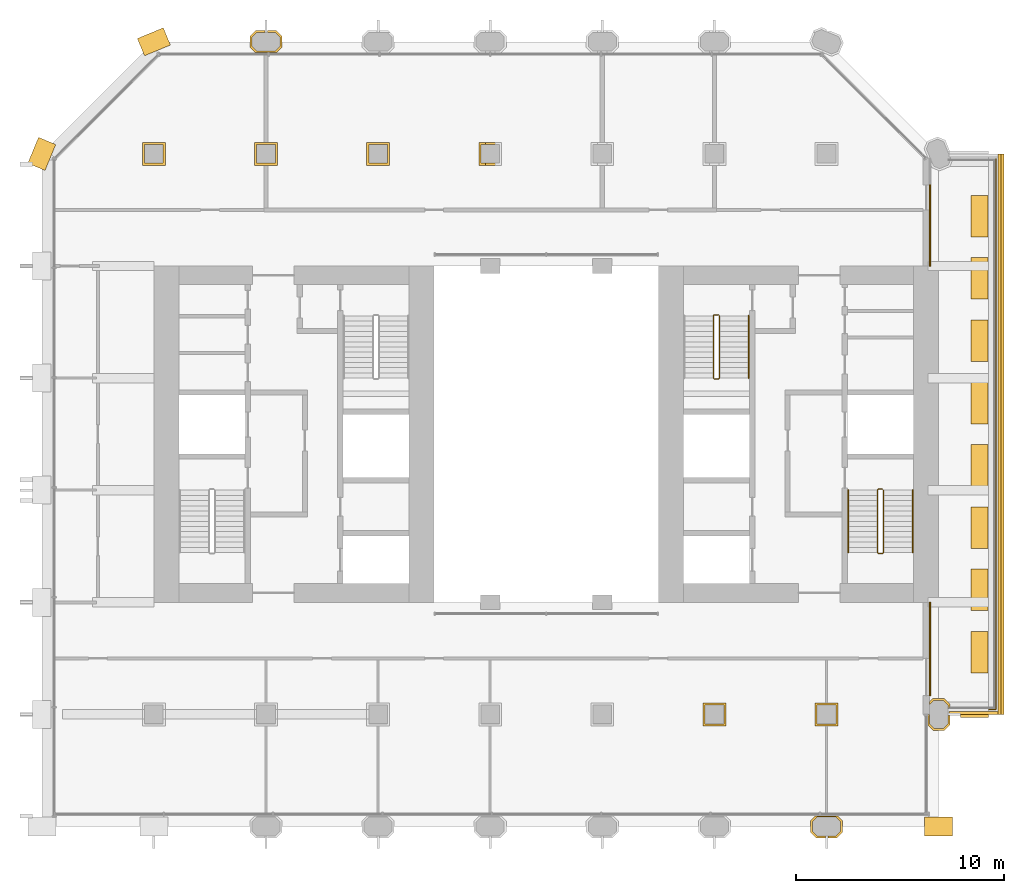
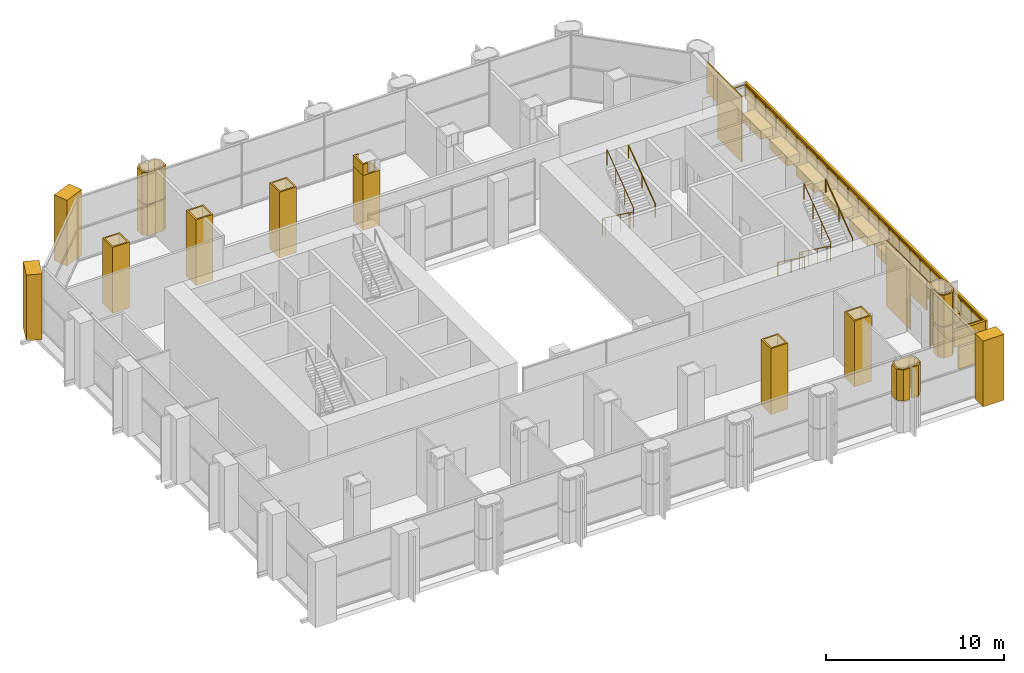
# One storey, part 14 of 15: 33 coverings, 6 railings.
"""IFC4 building model written with IfcOpenShell, lengths in metres."""

from ifc_helpers import new_model, si_unit, direction, frame, frame_2d, origin, origin_2d, place, context, subcontext, project, spatial, polyline, rectangle, circle, outline, extrude, material, layer, layer_set, type_object, element, save


model = new_model("IFC4")

# Units and contexts
model_context = context("Model", 3, precision=1e-05, world=origin(), true_north=direction((0.0, 1.0)))
body_context = subcontext(model_context, "Body", "Model", "MODEL_VIEW")
ifc_project = project(units=[si_unit("LENGTHUNIT", "METRE"), si_unit("AREAUNIT", "SQUARE_METRE"), si_unit("VOLUMEUNIT", "CUBIC_METRE"), si_unit("PLANEANGLEUNIT", "RADIAN"), si_unit("MASSUNIT", "GRAM", prefix="KILO")], contexts=[model_context])

# Site, building, storey
site_placement = place(None, origin())
site = spatial("IfcSite", under=ifc_project, at=site_placement, CompositionType="ELEMENT")
building_placement = place(site_placement, origin())
building = spatial("IfcBuilding", under=site, at=building_placement, Name="Tabaq Tower and Sports Hall", CompositionType="ELEMENT")
storey_placement = place(building_placement, frame((0.0, 0.0, 143.199951171875)))
storey = spatial("IfcBuildingStorey", under=building, at=storey_placement, Name="L33", CompositionType="ELEMENT", Elevation=143.199951171875)

# Coverings
ifc_material_1 = material(Name="Precast concrete C60/75", Category="concrete")
ifc_layer_1 = layer(ifc_material_1, 0.10009765625)
ifc_layer_set_1 = layer_set([ifc_layer_1], Name="Column cladding 100")
covering_type_1 = type_object("IfcCoveringType", Name="Column cladding 100", PredefinedType="CLADDING", material=ifc_layer_set_1)
covering_1_placement = place(storey_placement, origin())
element("IfcCovering", 1, at=covering_1_placement, inside=storey, type_object=covering_type_1, Name="Column cladding L33 CC-2H-S1", PredefinedType="CLADDING", context=body_context, shape_type="SweptSolid", body=[
    extrude(outline(polyline([(4.850341796875, 38.349609375), (5.94970703125, 38.349609375), (5.94970703125, 37.250244140625), (4.850341796875, 37.250244140625), (4.850341796875, 38.349609375)]), holes=[polyline([(5.850341796875, 37.349609375), (5.850341796875, 38.250244140625), (4.94970703125, 38.250244140625), (4.94970703125, 37.349609375), (5.850341796875, 37.349609375)])]), origin(), (0.0, 0.0, 1.0), 4.5),
])
covering_2_placement = place(storey_placement, origin())
element("IfcCovering", 2, at=covering_2_placement, inside=storey, type_object=covering_type_1, Name="Column cladding L33 CC-3H-S1", PredefinedType="CLADDING", context=body_context, shape_type="SweptSolid", body=[
    extrude(outline(polyline([(10.250244140625, 38.349609375), (11.349609375, 38.349609375), (11.349609375, 37.250244140625), (10.250244140625, 37.250244140625), (10.250244140625, 38.349609375)]), holes=[polyline([(11.250244140625, 37.349609375), (11.250244140625, 38.250244140625), (10.349609375, 38.250244140625), (10.349609375, 37.349609375), (11.250244140625, 37.349609375)])]), origin(), (0.0, 0.0, 1.0), 4.5),
])
covering_3_placement = place(storey_placement, frame((0.0, 0.0, 0.10009765625)))
element("IfcCovering", 3, at=covering_3_placement, inside=storey, type_object=covering_type_1, Name="Column cladding L33 PC-3I-S1", PredefinedType="CLADDING", context=body_context, shape_type="SweptSolid", body=[
    extrude(outline(polyline([(10.025390625, 43.46630859375), (10.30859375, 43.749755859375), (10.73974609375, 43.749755859375), (10.73974609375, 43.650390625), (10.349853515625, 43.650390625), (10.124755859375, 43.425048828125), (10.124755859375, 42.974853515625), (10.349853515625, 42.749755859375), (11.250244140625, 42.749755859375), (11.475341796875, 42.974853515625), (11.475341796875, 43.425048828125), (11.250244140625, 43.650390625), (10.8603515625, 43.650390625), (10.8603515625, 43.749755859375), (11.291259765625, 43.749755859375), (11.57470703125, 43.46630859375), (11.57470703125, 42.93359375), (11.331298828125, 42.690185546875), (10.268798828125, 42.690185546875), (10.025390625, 42.93359375), (10.025390625, 43.46630859375)])), origin(), (0.0, 0.0, 1.0), 2.119873046875),
])
covering_4_placement = place(storey_placement, frame((0.0, 0.0, 2.280029296875)))
element("IfcCovering", 4, at=covering_4_placement, inside=storey, type_object=covering_type_1, Name="Column cladding L33 PC-3I-S1 2", PredefinedType="CLADDING", context=body_context, shape_type="SweptSolid", body=[
    extrude(outline(polyline([(10.025390625, 43.46630859375), (10.30859375, 43.749755859375), (10.73974609375, 43.749755859375), (10.73974609375, 43.650390625), (10.349853515625, 43.650390625), (10.124755859375, 43.425048828125), (10.124755859375, 42.974853515625), (10.349853515625, 42.749755859375), (11.250244140625, 42.749755859375), (11.475341796875, 42.974853515625), (11.475341796875, 43.425048828125), (11.250244140625, 43.650390625), (10.8603515625, 43.650390625), (10.8603515625, 43.749755859375), (11.291259765625, 43.749755859375), (11.57470703125, 43.46630859375), (11.57470703125, 42.93359375), (11.331298828125, 42.690185546875), (10.268798828125, 42.690185546875), (10.025390625, 42.93359375), (10.025390625, 43.46630859375)])), origin(), (0.0, 0.0, 1.0), 2.1201171875),
])
covering_5_placement = place(storey_placement, origin())
element("IfcCovering", 5, at=covering_5_placement, inside=storey, type_object=covering_type_1, Name="Column cladding L33 CC-4H-S1", PredefinedType="CLADDING", context=body_context, shape_type="SweptSolid", body=[
    extrude(outline(polyline([(15.650390625, 38.349609375), (16.749755859375, 38.349609375), (16.749755859375, 37.250244140625), (15.650390625, 37.250244140625), (15.650390625, 38.349609375)]), holes=[polyline([(16.650390625, 37.349609375), (16.650390625, 38.250244140625), (15.749755859375, 38.250244140625), (15.749755859375, 37.349609375), (16.650390625, 37.349609375)])]), origin(), (0.0, 0.0, 1.0), 4.5),
])
covering_6_placement = place(storey_placement, origin())
element("IfcCovering", 6, at=covering_6_placement, inside=storey, type_object=covering_type_1, Name="Column cladding L33 CC-5H-S1", PredefinedType="CLADDING", context=body_context, shape_type="SweptSolid", body=[
    extrude(outline(polyline([(21.05029296875, 38.349609375), (22.149658203125, 38.349609375), (22.149658203125, 37.250244140625), (21.05029296875, 37.250244140625), (21.05029296875, 38.349609375)]), holes=[polyline([(22.05029296875, 37.349609375), (22.05029296875, 38.250244140625), (21.149658203125, 38.250244140625), (21.149658203125, 37.349609375), (22.05029296875, 37.349609375)])]), origin(), (0.0, 0.0, 1.0), 3.75),
])
covering_7_placement = place(storey_placement, frame((0.0, 0.0, 3.75)))
element("IfcCovering", 7, at=covering_7_placement, inside=storey, type_object=covering_type_1, Name="Column cladding L33 CC-5H-S1 head", PredefinedType="CLADDING", context=body_context, shape_type="SweptSolid", body=[
    extrude(outline(polyline([(21.374755859375, 38.349609375), (21.374755859375, 38.250244140625), (21.149658203125, 38.250244140625), (21.149658203125, 37.349609375), (21.374755859375, 37.349609375), (21.374755859375, 37.250244140625), (21.05029296875, 37.250244140625), (21.05029296875, 38.349609375), (21.374755859375, 38.349609375)])), origin(), (0.0, 0.0, 1.0), 0.75),
])
covering_8_placement = place(storey_placement, origin())
element("IfcCovering", 8, at=covering_8_placement, inside=storey, type_object=covering_type_1, Name="Column cladding L33 CC-7C-S1", PredefinedType="CLADDING", context=body_context, shape_type="SweptSolid", body=[
    extrude(outline(polyline([(31.850341796875, 11.349609375), (32.94970703125, 11.349609375), (32.94970703125, 10.250244140625), (31.850341796875, 10.250244140625), (31.850341796875, 11.349609375)]), holes=[polyline([(32.850341796875, 10.349609375), (32.850341796875, 11.250244140625), (31.94970703125, 11.250244140625), (31.94970703125, 10.349609375), (32.850341796875, 10.349609375)])]), origin(), (0.0, 0.0, 1.0), 4.5),
])
covering_9_placement = place(storey_placement, frame((0.0, 0.0, 2.280029296875)))
element("IfcCovering", 9, at=covering_9_placement, inside=storey, type_object=covering_type_1, Name="Column cladding L33 PC-8B-S1 2", PredefinedType="CLADDING", context=body_context, shape_type="SweptSolid", body=[
    extrude(outline(polyline([(37.025390625, 5.666259765625), (37.268798828125, 5.90966796875), (38.331298828125, 5.90966796875), (38.57470703125, 5.666259765625), (38.57470703125, 5.1337890625), (38.291259765625, 4.850341796875), (37.8603515625, 4.850341796875), (37.8603515625, 4.94970703125), (38.250244140625, 4.94970703125), (38.475341796875, 5.1748046875), (38.475341796875, 5.625244140625), (38.250244140625, 5.850341796875), (37.349853515625, 5.850341796875), (37.124755859375, 5.625244140625), (37.124755859375, 5.1748046875), (37.349853515625, 4.94970703125), (37.73974609375, 4.94970703125), (37.73974609375, 4.850341796875), (37.30859375, 4.850341796875), (37.025390625, 5.1337890625), (37.025390625, 5.666259765625)])), origin(), (0.0, 0.0, 1.0), 2.1201171875),
])
covering_10_placement = place(storey_placement, origin())
element("IfcCovering", 10, at=covering_10_placement, inside=storey, type_object=covering_type_1, Name="Column cladding L33 CC-8C-S1", PredefinedType="CLADDING", context=body_context, shape_type="SweptSolid", body=[
    extrude(outline(polyline([(37.250244140625, 11.349609375), (38.349609375, 11.349609375), (38.349609375, 10.250244140625), (37.250244140625, 10.250244140625), (37.250244140625, 11.349609375)]), holes=[polyline([(38.250244140625, 10.349609375), (38.250244140625, 11.250244140625), (37.349609375, 11.250244140625), (37.349609375, 10.349609375), (38.250244140625, 10.349609375)])]), origin(), (0.0, 0.0, 1.0), 4.5),
])
covering_11_placement = place(storey_placement, frame((0.0, 0.0, 0.10009765625)))
element("IfcCovering", 11, at=covering_11_placement, inside=storey, type_object=covering_type_1, Name="Column cladding L33 PC-9C-S1", PredefinedType="CLADDING", context=body_context, shape_type="SweptSolid", body=[
    extrude(outline(polyline([(42.93359375, 10.025390625), (42.690185546875, 10.268798828125), (42.690185546875, 10.7998046875), (42.749755859375, 10.7998046875), (42.749755859375, 10.349853515625), (42.974853515625, 10.124755859375), (43.425048828125, 10.124755859375), (43.650390625, 10.349853515625), (43.650390625, 10.73974609375), (43.749755859375, 10.73974609375), (43.749755859375, 10.30859375), (43.46630859375, 10.025390625), (42.93359375, 10.025390625)])), origin(), (0.0, 0.0, 1.0), 2.119873046875),
])
covering_12_placement = place(storey_placement, frame((0.0, 0.0, 0.10009765625)))
element("IfcCovering", 12, at=covering_12_placement, inside=storey, type_object=covering_type_1, Name="Column cladding L33 PC-9C-S1 2", PredefinedType="CLADDING", context=body_context, shape_type="SweptSolid", body=[
    extrude(outline(polyline([(42.93359375, 11.57470703125), (43.46630859375, 11.57470703125), (43.749755859375, 11.291259765625), (43.749755859375, 11.1103515625), (43.69970703125, 11.1103515625), (43.69970703125, 11.09033203125), (43.650390625, 11.09033203125), (43.650390625, 11.250244140625), (43.425048828125, 11.475341796875), (42.974853515625, 11.475341796875), (42.750244140625, 11.250732421875), (42.750244140625, 11.391357421875), (42.93359375, 11.57470703125)])), origin(), (0.0, 0.0, 1.0), 2.119873046875),
])
covering_13_placement = place(storey_placement, frame((0.0, 0.0, 2.280029296875)))
element("IfcCovering", 13, at=covering_13_placement, inside=storey, type_object=covering_type_1, Name="Column cladding L33 PC-9C-S1 2", PredefinedType="CLADDING", context=body_context, shape_type="SweptSolid", body=[
    extrude(outline(polyline([(42.93359375, 10.025390625), (42.690185546875, 10.268798828125), (42.690185546875, 10.7998046875), (42.749755859375, 10.7998046875), (42.749755859375, 10.349853515625), (42.974853515625, 10.124755859375), (43.425048828125, 10.124755859375), (43.650390625, 10.349853515625), (43.650390625, 10.73974609375), (43.749755859375, 10.73974609375), (43.749755859375, 10.30859375), (43.46630859375, 10.025390625), (42.93359375, 10.025390625)])), origin(), (0.0, 0.0, 1.0), 2.1201171875),
])
covering_14_placement = place(storey_placement, frame((0.0, 0.0, 2.280029296875)))
element("IfcCovering", 14, at=covering_14_placement, inside=storey, type_object=covering_type_1, Name="Column cladding L33 PC-9C-S1 2 2", PredefinedType="CLADDING", context=body_context, shape_type="SweptSolid", body=[
    extrude(outline(polyline([(42.93359375, 11.57470703125), (43.46630859375, 11.57470703125), (43.749755859375, 11.291259765625), (43.749755859375, 11.1103515625), (43.69970703125, 11.1103515625), (43.69970703125, 11.09033203125), (43.650390625, 11.09033203125), (43.650390625, 11.250244140625), (43.425048828125, 11.475341796875), (42.974853515625, 11.475341796875), (42.750244140625, 11.250732421875), (42.750244140625, 11.391357421875), (42.93359375, 11.57470703125)])), origin(), (0.0, 0.0, 1.0), 2.1201171875),
])

# Railing
ifc_material_2 = material(Name="Stainless steel S316 and laminated glass", Category="steel")
railing_type_1 = type_object("IfcRailingType", Name="Guard 1100 steel and glass", PredefinedType="GUARDRAIL", material=ifc_material_2)
railing_1_placement = place(storey_placement, frame((43.199951171875, 11.050048828125, 0.0)))
element("IfcRailing", 15, at=railing_1_placement, inside=storey, type_object=railing_type_1, Name="Tray guard L33", PredefinedType="GUARDRAIL", context=body_context, shape_type="SweptSolid", body=[
    extrude(circle(Radius=0.02490234375, at=origin_2d()), frame((0.0, 0.0, 1.0751953125), z_axis=(1.0, 0.0, 0.0), x_axis=(0.0, 1.0, 0.0)), (0.0, 0.0, 1.0), 2.75),
    extrude(circle(Radius=0.02490234375, at=origin_2d()), frame((2.75, 0.0, 1.0751953125), z_axis=(0.0, 1.0, 0.0), x_axis=(-1.0, 0.0, 0.0)), (0.0, 0.0, 1.0), 26.5),
    extrude(circle(Radius=0.02490234375, at=origin_2d()), frame((2.75, 26.5, 1.0751953125), z_axis=(-1.0, 0.0, 0.0), x_axis=(0.0, -1.0, 0.0)), (0.0, 0.0, 1.0), 2.75),
    extrude(circle(Radius=0.02001953125, at=origin_2d()), origin(), (0.0, 0.0, 1.0), 1.050048828125),
    extrude(circle(Radius=0.02001953125, at=origin_2d()), frame((0.916748046875, 0.0, 0.0)), (0.0, 0.0, 1.0), 1.050048828125),
    extrude(circle(Radius=0.02001953125, at=origin_2d()), frame((1.833251953125, 0.0, 0.0)), (0.0, 0.0, 1.0), 1.050048828125),
    extrude(circle(Radius=0.02001953125, at=origin_2d()), frame((2.75, 0.0, 0.0)), (0.0, 0.0, 1.0), 1.050048828125),
    extrude(circle(Radius=0.02001953125, at=origin_2d()), frame((2.75, 1.152099609375, 0.0)), (0.0, 0.0, 1.0), 1.050048828125),
    extrude(circle(Radius=0.02001953125, at=origin_2d()), frame((2.75, 2.304443359375, 0.0)), (0.0, 0.0, 1.0), 1.050048828125),
    extrude(circle(Radius=0.02001953125, at=origin_2d()), frame((2.75, 3.45654296875, 0.0)), (0.0, 0.0, 1.0), 1.050048828125),
    extrude(circle(Radius=0.02001953125, at=origin_2d()), frame((2.75, 4.608642578125, 0.0)), (0.0, 0.0, 1.0), 1.050048828125),
    extrude(circle(Radius=0.02001953125, at=origin_2d()), frame((2.75, 5.760986328125, 0.0)), (0.0, 0.0, 1.0), 1.050048828125),
    extrude(circle(Radius=0.02001953125, at=origin_2d()), frame((2.75, 6.9130859375, 0.0)), (0.0, 0.0, 1.0), 1.050048828125),
    extrude(circle(Radius=0.02001953125, at=origin_2d()), frame((2.75, 8.065185546875, 0.0)), (0.0, 0.0, 1.0), 1.050048828125),
    extrude(circle(Radius=0.02001953125, at=origin_2d()), frame((2.75, 9.21728515625, 0.0)), (0.0, 0.0, 1.0), 1.050048828125),
    extrude(circle(Radius=0.02001953125, at=origin_2d()), frame((2.75, 10.36962890625, 0.0)), (0.0, 0.0, 1.0), 1.050048828125),
    extrude(circle(Radius=0.02001953125, at=origin_2d()), frame((2.75, 11.521728515625, 0.0)), (0.0, 0.0, 1.0), 1.050048828125),
    extrude(circle(Radius=0.02001953125, at=origin_2d()), frame((2.75, 12.673828125, 0.0)), (0.0, 0.0, 1.0), 1.050048828125),
    extrude(circle(Radius=0.02001953125, at=origin_2d()), frame((2.75, 13.826171875, 0.0)), (0.0, 0.0, 1.0), 1.050048828125),
    extrude(circle(Radius=0.02001953125, at=origin_2d()), frame((2.75, 14.978271484375, 0.0)), (0.0, 0.0, 1.0), 1.050048828125),
    extrude(circle(Radius=0.02001953125, at=origin_2d()), frame((2.75, 16.13037109375, 0.0)), (0.0, 0.0, 1.0), 1.050048828125),
    extrude(circle(Radius=0.02001953125, at=origin_2d()), frame((2.75, 17.28271484375, 0.0)), (0.0, 0.0, 1.0), 1.050048828125),
    extrude(circle(Radius=0.02001953125, at=origin_2d()), frame((2.75, 18.434814453125, 0.0)), (0.0, 0.0, 1.0), 1.050048828125),
    extrude(circle(Radius=0.02001953125, at=origin_2d()), frame((2.75, 19.5869140625, 0.0)), (0.0, 0.0, 1.0), 1.050048828125),
    extrude(circle(Radius=0.02001953125, at=origin_2d()), frame((2.75, 20.739013671875, 0.0)), (0.0, 0.0, 1.0), 1.050048828125),
    extrude(circle(Radius=0.02001953125, at=origin_2d()), frame((2.75, 21.891357421875, 0.0)), (0.0, 0.0, 1.0), 1.050048828125),
    extrude(circle(Radius=0.02001953125, at=origin_2d()), frame((2.75, 23.04345703125, 0.0)), (0.0, 0.0, 1.0), 1.050048828125),
    extrude(circle(Radius=0.02001953125, at=origin_2d()), frame((2.75, 24.195556640625, 0.0)), (0.0, 0.0, 1.0), 1.050048828125),
    extrude(circle(Radius=0.02001953125, at=origin_2d()), frame((2.75, 25.347900390625, 0.0)), (0.0, 0.0, 1.0), 1.050048828125),
    extrude(circle(Radius=0.02001953125, at=origin_2d()), frame((2.75, 26.5, 0.0)), (0.0, 0.0, 1.0), 1.050048828125),
    extrude(circle(Radius=0.02001953125, at=origin_2d()), frame((1.833251953125, 26.5, 0.0)), (0.0, 0.0, 1.0), 1.050048828125),
    extrude(circle(Radius=0.02001953125, at=origin_2d()), frame((0.916748046875, 26.5, 0.0)), (0.0, 0.0, 1.0), 1.050048828125),
    extrude(circle(Radius=0.02001953125, at=origin_2d()), frame((0.0, 26.5, 0.0)), (0.0, 0.0, 1.0), 1.050048828125),
])

# Coverings
ifc_material_3 = material(Name="White precast concrete C60/75", Category="concrete")
covering_type_2 = type_object("IfcCoveringType", Name="Pier cladding hung 1350x900", PredefinedType="CLADDING", material=ifc_material_3)
for number, where, z_axis, x_axis, name in (
    (16, (0.25830078125, 38.423583984375, 0.0), (0.0, 0.0, 1.0), (-0.382649923473, -0.923893411637, 0.0), "Hung pier cladding 0/7"),
    (17, (6.023681640625, 43.458251953125, 0.0), (0.0, 0.0, 1.0), (-0.923893411637, -0.382649923473, 0.0), "Hung pier cladding 1/8"),
    (18, (42.52490234375, 5.39990234375, 0.0), (0.0, 0.0, 1.0), (1.0, 0.0, 0.0), "Hung pier cladding 8/1"),
):
    element("IfcCovering", number, at=place(storey_placement, frame(where, z_axis=z_axis, x_axis=x_axis)), inside=storey, type_object=covering_type_2, Name=name, PredefinedType="CLADDING", context=body_context, shape_type="SweptSolid", body=[
        extrude(rectangle(XDim=1.35009765625, YDim=0.89990234375, at=frame_2d((0.675048828125, 0.0))), origin(), (0.0, 0.0, 1.0), 4.5),
    ])
ifc_material_4 = material(Name="Planting soil and drainage layer")
covering_type_3 = type_object("IfcCoveringType", Name="Planter 2000x800x600", PredefinedType="USERDEFINED", material=ifc_material_4)
for number, where, z_axis, x_axis, name in (
    (19, (45.169921875, 13.800048828125, 0.0), (0.0, 0.0, 1.0), (0.0, 1.0, 0.0), "Planter L33"),
    (20, (45.169921875, 16.800048828125, 0.0), (0.0, 0.0, 1.0), (0.0, 1.0, 0.0), "Planter L33"),
    (21, (45.169921875, 19.800048828125, 0.0), (0.0, 0.0, 1.0), (0.0, 1.0, 0.0), "Planter L33"),
    (22, (45.169921875, 22.800048828125, 0.0), (0.0, 0.0, 1.0), (0.0, 1.0, 0.0), "Planter L33"),
    (23, (45.169921875, 25.800048828125, 0.0), (0.0, 0.0, 1.0), (0.0, 1.0, 0.0), "Planter L33"),
    (24, (45.169921875, 28.800048828125, 0.0), (0.0, 0.0, 1.0), (0.0, 1.0, 0.0), "Planter L33"),
    (25, (45.169921875, 31.800048828125, 0.0), (0.0, 0.0, 1.0), (0.0, 1.0, 0.0), "Planter L33"),
    (26, (45.169921875, 34.800048828125, 0.0), (0.0, 0.0, 1.0), (0.0, 1.0, 0.0), "Planter L33"),
):
    element("IfcCovering", number, at=place(storey_placement, frame(where, z_axis=z_axis, x_axis=x_axis)), inside=storey, type_object=covering_type_3, Name=name, ObjectType="PLANTER", PredefinedType="USERDEFINED", context=body_context, shape_type="SweptSolid", body=[
        extrude(rectangle(XDim=2.0, YDim=0.800048828125, at=origin_2d()), origin(), (0.0, 0.0, 1.0), 0.60009765625),
    ])

# Railings
ifc_material_5 = material(Name="Stainless steel", Category="steel")
railing_type_2 = type_object("IfcRailingType", Name="Stair guard", PredefinedType="GUARDRAIL", material=ifc_material_5)
railing_2_placement = place(storey_placement, frame((40.5, 21.64990234375, 0.0)))
element("IfcRailing", 27, at=railing_2_placement, inside=storey, type_object=railing_type_2, Name="L33 ST3 stair guard 1", PredefinedType="GUARDRAIL", context=body_context, shape_type="SweptSolid", body=[
    extrude(circle(Radius=0.02392578125, at=origin_2d()), frame((0.0, 0.0, 1.076171875), z_axis=(-1.0, 0.0, 0.0), x_axis=(0.0, -1.0, 0.0)), (0.0, 0.0, 1.0), 0.199951171875),
    extrude(circle(Radius=0.02392578125, at=origin_2d()), frame((-0.199951171875, 0.0, 1.076171875), z_axis=(-0.253264628505, -0.252029191293, 0.933990532438), x_axis=(0.705375805398, -0.708833529934, 0.0)), (0.0, 0.0, 1.0), 0.197509765625),
    extrude(circle(Radius=0.02392578125, at=origin_2d()), frame((-0.25, -0.0498046875, 1.2607421875), z_axis=(0.0, -0.804408721428, 0.594076265214), x_axis=(1.0, 0.0, 0.0)), (0.0, 0.0, 1.0), 3.7294921875),
    extrude(circle(Radius=0.02392578125, at=origin_2d()), frame((-0.25, -3.0498046875, 3.47607421875), z_axis=(0.707106781187, -0.707106781187, 0.0), x_axis=(0.707106781187, 0.707106781187, 0.0)), (0.0, 0.0, 1.0), 0.07080078125),
    extrude(circle(Radius=0.02392578125, at=origin_2d()), frame((-0.199951171875, -3.099853515625, 3.47607421875), z_axis=(1.0, 0.0, 0.0), x_axis=(0.0, 1.0, 0.0)), (0.0, 0.0, 1.0), 0.199951171875),
    extrude(circle(Radius=0.02392578125, at=origin_2d()), frame((0.0, -3.099853515625, 3.47607421875), z_axis=(0.253185614162, 0.253185614162, 0.933699142959), x_axis=(-0.707106781187, 0.707106781187, 0.0)), (0.0, 0.0, 1.0), 0.19775390625),
    extrude(circle(Radius=0.02392578125, at=origin_2d()), frame((0.050048828125, -3.0498046875, 3.66064453125), z_axis=(0.0, 0.804440004972, 0.594033903411), x_axis=(-1.0, 0.0, 0.0)), (0.0, 0.0, 1.0), 3.729248046875),
    extrude(circle(Radius=0.02099609375, at=origin_2d()), origin(), (0.0, 0.0, 1.0), 1.052001953125),
    extrude(circle(Radius=0.02099609375, at=origin_2d()), frame((-0.199951171875, 0.0, 0.0)), (0.0, 0.0, 1.0), 1.052001953125),
    extrude(circle(Radius=0.02099609375, at=origin_2d()), frame((-0.25, -0.0498046875, 0.1845703125)), (0.0, 0.0, 1.0), 1.052001953125),
    extrude(circle(Radius=0.02099609375, at=origin_2d()), frame((-0.25, -1.0498046875, 0.923095703125)), (0.0, 0.0, 1.0), 1.052001953125),
    extrude(circle(Radius=0.02099609375, at=origin_2d()), frame((-0.25, -2.0498046875, 1.66162109375)), (0.0, 0.0, 1.0), 1.052001953125),
    extrude(circle(Radius=0.02099609375, at=origin_2d()), frame((-0.25, -3.0498046875, 2.400146484375)), (0.0, 0.0, 1.0), 1.052001953125),
    extrude(circle(Radius=0.02099609375, at=origin_2d()), frame((-0.199951171875, -3.099853515625, 2.400146484375)), (0.0, 0.0, 1.0), 1.052001953125),
    extrude(circle(Radius=0.02099609375, at=origin_2d()), frame((0.0, -3.099853515625, 2.400146484375)), (0.0, 0.0, 1.0), 1.052001953125),
    extrude(circle(Radius=0.02099609375, at=origin_2d()), frame((0.050048828125, -3.0498046875, 2.584716796875)), (0.0, 0.0, 1.0), 1.052001953125),
    extrude(circle(Radius=0.02099609375, at=origin_2d()), frame((0.050048828125, -2.0498046875, 3.3232421875)), (0.0, 0.0, 1.0), 1.052001953125),
    extrude(circle(Radius=0.02099609375, at=origin_2d()), frame((0.050048828125, -1.0498046875, 4.0615234375)), (0.0, 0.0, 1.0), 1.052001953125),
    extrude(circle(Radius=0.02099609375, at=origin_2d()), frame((0.050048828125, -0.0498046875, 4.800048828125)), (0.0, 0.0, 1.0), 1.052001953125),
])
railing_3_placement = place(storey_placement, frame((32.60009765625, 30.050048828125, 0.0)))
element("IfcRailing", 28, at=railing_3_placement, inside=storey, type_object=railing_type_2, Name="L33 ST4 stair guard 1", PredefinedType="GUARDRAIL", context=body_context, shape_type="SweptSolid", body=[
    extrude(circle(Radius=0.02392578125, at=origin_2d()), frame((0.0, 0.0, 1.076171875), z_axis=(-1.0, 0.0, 0.0), x_axis=(0.0, -1.0, 0.0)), (0.0, 0.0, 1.0), 0.2001953125),
    extrude(circle(Radius=0.02392578125, at=origin_2d()), frame((-0.2001953125, 0.0, 1.076171875), z_axis=(-0.252029191293, -0.253264628505, 0.933990532438), x_axis=(0.708833529934, -0.705375805398, 0.0)), (0.0, 0.0, 1.0), 0.197509765625),
    extrude(circle(Radius=0.02392578125, at=origin_2d()), frame((-0.25, -0.050048828125, 1.2607421875), z_axis=(0.0, -0.804408721428, 0.594076265214), x_axis=(1.0, 0.0, 0.0)), (0.0, 0.0, 1.0), 3.7294921875),
    extrude(circle(Radius=0.02392578125, at=origin_2d()), frame((-0.25, -3.050048828125, 3.47607421875), z_axis=(0.705375805398, -0.708833529934, 0.0), x_axis=(0.708833529934, 0.705375805398, 0.0)), (0.0, 0.0, 1.0), 0.070556640625),
    extrude(circle(Radius=0.02392578125, at=origin_2d()), frame((-0.2001953125, -3.10009765625, 3.47607421875), z_axis=(1.0, 0.0, 0.0), x_axis=(0.0, 1.0, 0.0)), (0.0, 0.0, 1.0), 0.2001953125),
    extrude(circle(Radius=0.02392578125, at=origin_2d()), frame((0.0, -3.10009765625, 3.47607421875), z_axis=(0.252029191293, 0.253264628505, 0.933990532438), x_axis=(-0.708833529934, 0.705375805398, 0.0)), (0.0, 0.0, 1.0), 0.197509765625),
    extrude(circle(Radius=0.02392578125, at=origin_2d()), frame((0.0498046875, -3.050048828125, 3.66064453125), z_axis=(0.0, 0.804440004972, 0.594033903411), x_axis=(-1.0, 0.0, 0.0)), (0.0, 0.0, 1.0), 3.729248046875),
    extrude(circle(Radius=0.02099609375, at=origin_2d()), origin(), (0.0, 0.0, 1.0), 1.052001953125),
    extrude(circle(Radius=0.02099609375, at=origin_2d()), frame((-0.2001953125, 0.0, 0.0)), (0.0, 0.0, 1.0), 1.052001953125),
    extrude(circle(Radius=0.02099609375, at=origin_2d()), frame((-0.25, -0.050048828125, 0.1845703125)), (0.0, 0.0, 1.0), 1.052001953125),
    extrude(circle(Radius=0.02099609375, at=origin_2d()), frame((-0.25, -1.050048828125, 0.923095703125)), (0.0, 0.0, 1.0), 1.052001953125),
    extrude(circle(Radius=0.02099609375, at=origin_2d()), frame((-0.25, -2.050048828125, 1.66162109375)), (0.0, 0.0, 1.0), 1.052001953125),
    extrude(circle(Radius=0.02099609375, at=origin_2d()), frame((-0.25, -3.050048828125, 2.400146484375)), (0.0, 0.0, 1.0), 1.052001953125),
    extrude(circle(Radius=0.02099609375, at=origin_2d()), frame((-0.2001953125, -3.10009765625, 2.400146484375)), (0.0, 0.0, 1.0), 1.052001953125),
    extrude(circle(Radius=0.02099609375, at=origin_2d()), frame((0.0, -3.10009765625, 2.400146484375)), (0.0, 0.0, 1.0), 1.052001953125),
    extrude(circle(Radius=0.02099609375, at=origin_2d()), frame((0.0498046875, -3.050048828125, 2.584716796875)), (0.0, 0.0, 1.0), 1.052001953125),
    extrude(circle(Radius=0.02099609375, at=origin_2d()), frame((0.0498046875, -2.050048828125, 3.3232421875)), (0.0, 0.0, 1.0), 1.052001953125),
    extrude(circle(Radius=0.02099609375, at=origin_2d()), frame((0.0498046875, -1.050048828125, 4.0615234375)), (0.0, 0.0, 1.0), 1.052001953125),
    extrude(circle(Radius=0.02099609375, at=origin_2d()), frame((0.0498046875, -0.050048828125, 4.800048828125)), (0.0, 0.0, 1.0), 1.052001953125),
])
ifc_material_6 = material(Name="Stainless steel", Category="steel")
railing_type_3 = type_object("IfcRailingType", Name="Stair handrail", PredefinedType="HANDRAIL", material=ifc_material_6)
railing_4_placement = place(storey_placement, frame((38.85009765625, 21.60009765625, 0.1845703125)))
element("IfcRailing", 29, at=railing_4_placement, inside=storey, type_object=railing_type_3, Name="L33 ST3 stair handrail 1", PredefinedType="HANDRAIL", context=body_context, shape_type="SweptSolid", body=[
    extrude(circle(Radius=0.02392578125, at=origin_2d()), frame((0.0, 0.0, 0.8759765625), z_axis=(0.0, -0.804408721428, 0.594076265214), x_axis=(1.0, 0.0, 0.0)), (0.0, 0.0, 1.0), 3.7294921875),
    extrude(circle(Radius=0.02099609375, at=origin_2d()), origin(), (0.0, 0.0, 1.0), 0.851806640625),
    extrude(circle(Radius=0.02099609375, at=origin_2d()), frame((0.0, -1.5, 1.10791015625)), (0.0, 0.0, 1.0), 0.851806640625),
    extrude(circle(Radius=0.02099609375, at=origin_2d()), frame((0.0, -3.0, 2.215576171875)), (0.0, 0.0, 1.0), 0.851806640625),
])
for number, where, name in (
    (30, (41.949951171875, 18.60009765625, 2.584716796875), "L33 ST3 stair handrail 2"),
    (31, (34.050048828125, 27.0, 2.584716796875), "L33 ST4 stair handrail 2"),
):
    element("IfcRailing", number, at=place(storey_placement, frame(where)), inside=storey, type_object=railing_type_3, Name=name, PredefinedType="HANDRAIL", context=body_context, shape_type="SweptSolid", body=[
        extrude(circle(Radius=0.02392578125, at=origin_2d()), frame((0.0, 0.0, 0.8759765625), z_axis=(0.0, 0.804440004972, 0.594033903411), x_axis=(-1.0, 0.0, 0.0)), (0.0, 0.0, 1.0), 3.729248046875),
        extrude(circle(Radius=0.02099609375, at=origin_2d()), origin(), (0.0, 0.0, 1.0), 0.851806640625),
        extrude(circle(Radius=0.02099609375, at=origin_2d()), frame((0.0, 1.5, 1.107666015625)), (0.0, 0.0, 1.0), 0.851806640625),
        extrude(circle(Radius=0.02099609375, at=origin_2d()), frame((0.0, 3.0, 2.21533203125)), (0.0, 0.0, 1.0), 0.851806640625),
    ])

# Coverings
ifc_material_7 = material(Name="Precast concrete C60/75", Category="concrete")
ifc_layer_2 = layer(ifc_material_7, 0.14990234375)
ifc_layer_set_2 = layer_set([ifc_layer_2], Name="Tray fascia 1200")
covering_type_4 = type_object("IfcCoveringType", Name="Tray fascia 1200", PredefinedType="CLADDING", material=ifc_layer_set_2)
covering_15_placement = place(storey_placement, frame((44.260009765625, 10.72509765625, -1.5), z_axis=(0.0, 0.0, 1.0), x_axis=(1.0, 0.0, 0.0)))
element("IfcCovering", 32, at=covering_15_placement, inside=storey, type_object=covering_type_4, Name="Tray fascia L33 EBT", PredefinedType="CLADDING", context=body_context, shape_type="SweptSolid", body=[
    extrude(rectangle(XDim=1.340087890625, YDim=0.14990234375, at=frame_2d((0.669921875, 0.0))), origin(), (0.0, 0.0, 1.0), 1.5),
])
covering_16_placement = place(storey_placement, frame((46.27490234375, 10.800048828125, -1.5), z_axis=(0.0, 0.0, 1.0), x_axis=(0.0, 1.0, 0.0)))
element("IfcCovering", 33, at=covering_16_placement, inside=storey, type_object=covering_type_4, Name="Tray fascia L33 EBT", PredefinedType="CLADDING", context=body_context, shape_type="SweptSolid", body=[
    extrude(rectangle(XDim=27.0, YDim=0.14990234375, at=frame_2d((13.5, 0.0))), origin(), (0.0, 0.0, 1.0), 1.5),
])
ifc_material_8 = material(Name="Precast concrete C60/75", Category="concrete")
ifc_layer_3 = layer(ifc_material_8, 0.14990234375)
ifc_layer_set_3 = layer_set([ifc_layer_3], Name="Tray upstand cladding 1100")
covering_type_5 = type_object("IfcCoveringType", Name="Tray upstand cladding 1100", PredefinedType="CLADDING", material=ifc_layer_set_3)
covering_17_placement = place(storey_placement, frame((46.125, 10.800048828125, 0.0), z_axis=(0.0, 0.0, 1.0), x_axis=(0.0, 1.0, 0.0)))
element("IfcCovering", 34, at=covering_17_placement, inside=storey, type_object=covering_type_5, Name="Tray upstand cladding L33", PredefinedType="CLADDING", context=body_context, shape_type="SweptSolid", body=[
    extrude(rectangle(XDim=27.0, YDim=0.14990234375, at=frame_2d((13.5, 0.0))), origin(), (0.0, 0.0, 1.0), 1.10009765625),
])
covering_18_placement = place(storey_placement, frame((43.699951171875, 10.875, 0.0), z_axis=(0.0, 0.0, 1.0), x_axis=(1.0, 0.0, 0.0)))
element("IfcCovering", 35, at=covering_18_placement, inside=storey, type_object=covering_type_5, Name="Tray upstand cladding L33", PredefinedType="CLADDING", context=body_context, shape_type="SweptSolid", body=[
    extrude(rectangle(XDim=2.35009765625, YDim=0.14990234375, at=frame_2d((1.175048828125, 0.0))), origin(), (0.0, 0.0, 1.0), 1.10009765625),
])
ifc_material_9 = material(Name="Precast concrete C60/75", Category="concrete")
ifc_layer_4 = layer(ifc_material_9, 0.06005859375)
ifc_layer_set_4 = layer_set([ifc_layer_4], Name="White precast cladding panel 60 C60/75")
covering_type_6 = type_object("IfcCoveringType", Name="White precast cladding panel 60 C60/75", PredefinedType="CLADDING", material=ifc_layer_set_4)
covering_19_placement = place(storey_placement, frame((42.780029296875, 11.68994140625, 2.41015625), z_axis=(0.0, 0.0, 1.0), x_axis=(0.0, 1.0, 0.0)))
element("IfcCovering", 36, at=covering_19_placement, inside=storey, type_object=covering_type_6, Name="White precast cladding panel L33 infill01-0-1", PredefinedType="CLADDING", context=body_context, shape_type="SweptSolid", body=[
    extrude(rectangle(XDim=1.820068359375, YDim=0.06005859375, at=frame_2d((0.91015625, 0.0))), origin(), (0.0, 0.0, 1.0), 2.08984375),
])
covering_20_placement = place(storey_placement, frame((42.780029296875, 13.510009765625, 0.0), z_axis=(0.0, 0.0, 1.0), x_axis=(0.0, 1.0, 0.0)))
element("IfcCovering", 37, at=covering_20_placement, inside=storey, type_object=covering_type_6, Name="White precast cladding panel L33 infill01-0-1 2", PredefinedType="CLADDING", context=body_context, shape_type="SweptSolid", body=[
    extrude(rectangle(XDim=2.68994140625, YDim=0.06005859375, at=frame_2d((1.344970703125, 0.0))), origin(), (0.0, 0.0, 1.0), 4.5),
])
covering_21_placement = place(storey_placement, frame((42.780029296875, 32.39990234375, 0.0), z_axis=(0.0, 0.0, 1.0), x_axis=(0.0, 1.0, 0.0)))
element("IfcCovering", 38, at=covering_21_placement, inside=storey, type_object=covering_type_6, Name="White precast cladding panel L33 infill01-1-0", PredefinedType="CLADDING", context=body_context, shape_type="SweptSolid", body=[
    extrude(rectangle(XDim=2.690185546875, YDim=0.06005859375, at=frame_2d((1.34521484375, 0.0))), origin(), (0.0, 0.0, 1.0), 4.5),
])
covering_22_placement = place(storey_placement, frame((42.780029296875, 35.090087890625, 2.41015625), z_axis=(0.0, 0.0, 1.0), x_axis=(0.0, 1.0, 0.0)))
element("IfcCovering", 39, at=covering_22_placement, inside=storey, type_object=covering_type_6, Name="White precast cladding panel L33 infill01-1-0 2", PredefinedType="CLADDING", context=body_context, shape_type="SweptSolid", body=[
    extrude(rectangle(XDim=1.219970703125, YDim=0.06005859375, at=frame_2d((0.60986328125, 0.0))), origin(), (0.0, 0.0, 1.0), 2.08984375),
])

save(model, "model.ifc")
